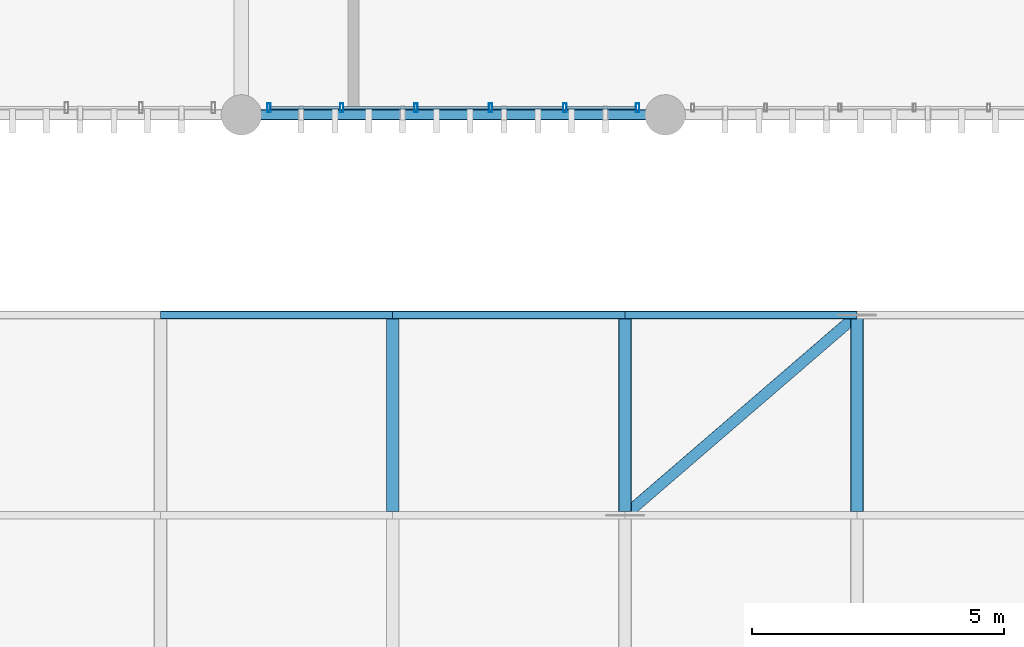
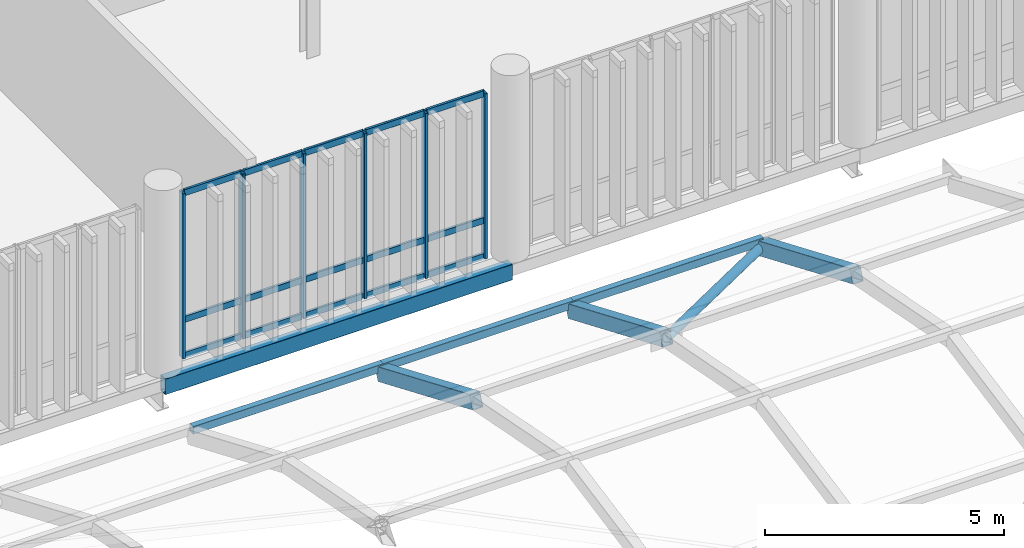
# One storey, part 15 of 94: 25 members, 4 beams, 1 element without a shape of its own.
"""IFC4 building model written with IfcOpenShell, lengths in metres."""

import ifcopenshell
import ifcopenshell.guid

model = None  # the IFC model being written
_history = None  # IfcOwnerHistory: only IFC2X3 demands one
_inside = {}  # id of a spatial element -> (the spatial element, [elements in it])
_under = {}  # id of a project, library or spatial element -> (it, [spatial elements below it])
_declared = {}  # id of a project -> (the project, [libraries it declares])
_typed = {}  # id of a type object -> (the type object, [elements of that type])
_made_of = {}  # id of a material, layer set ... -> (it, [elements and type objects made of it])


def new_model(schema):
    """Start an empty IFC model of exactly this schema.

    Asked for "IFC4X3", IfcOpenShell would pick the latest addendum, in which some entities
    have other attributes; the version numbers below select the first issue.
    IFC2X3 requires an IfcOwnerHistory on every rooted entity: one is made here for all.
    """
    global model, _history
    if schema == "IFC4X3":
        model = ifcopenshell.file(schema_version=(4, 3, 0, 0))
    else:
        model = ifcopenshell.file(schema=schema)
    _inside.clear()
    _under.clear()
    _declared.clear()
    _typed.clear()
    _made_of.clear()
    _history = None
    if model.schema == "IFC2X3":
        org = make("IfcOrganization", Name="unknown")
        user = make(
            "IfcPersonAndOrganization",
            ThePerson=make("IfcPerson", FamilyName="unknown"),
            TheOrganization=org,
        )
        app = make(
            "IfcApplication",
            ApplicationDeveloper=org,
            Version="unknown",
            ApplicationFullName="unknown",
            ApplicationIdentifier="unknown",
        )
        _history = make(
            "IfcOwnerHistory",
            OwningUser=user,
            OwningApplication=app,
            ChangeAction="ADDED",
            CreationDate=0,
        )
    return model


def make(cls, **values):
    """One entity of the class cls with the attributes given. An attribute that is None is left unset."""
    return model.create_entity(
        cls, **{name: value for name, value in values.items() if value is not None}
    )


def rooted(cls, **values):
    """An entity with a GlobalId (a new one), such as an element, a storey or a relation."""
    return make(cls, GlobalId=ifcopenshell.guid.new(), OwnerHistory=_history, **values)


def si_unit(unit_type, name, prefix=None):
    """IfcSIUnit, for example si_unit("LENGTHUNIT", "METRE", prefix="MILLI")."""
    return make("IfcSIUnit", UnitType=unit_type, Prefix=prefix, Name=name)


def assignment(units):
    """IfcUnitAssignment: the units of a project."""
    return None if units is None else make("IfcUnitAssignment", Units=units)


def point(xyz):
    """IfcCartesianPoint."""
    return None if xyz is None else make("IfcCartesianPoint", Coordinates=xyz)


def direction(xyz):
    """IfcDirection."""
    return None if xyz is None else make("IfcDirection", DirectionRatios=xyz)


def frame(location, z_axis=None, x_axis=None):
    """IfcAxis2Placement3D, a coordinate frame: its origin and axes. An axis left out is left unset."""
    return make(
        "IfcAxis2Placement3D",
        Location=point(location),
        Axis=direction(z_axis),
        RefDirection=direction(x_axis),
    )


def frame_2d(location, x_axis=None):
    """IfcAxis2Placement2D, a coordinate frame in the plane: its origin and x axis."""
    return make(
        "IfcAxis2Placement2D", Location=point(location), RefDirection=direction(x_axis)
    )


def origin_with_axes():
    """The frame at (0, 0, 0) with the z axis (0, 0, 1) and the x axis (1, 0, 0) written out."""
    return frame((0.0, 0.0, 0.0), z_axis=(0.0, 0.0, 1.0), x_axis=(1.0, 0.0, 0.0))


def origin_2d_with_axis():
    """The frame at (0, 0) in the plane with the x axis (1, 0) written out."""
    return frame_2d((0.0, 0.0), x_axis=(1.0, 0.0))


def place(relative_to, where):
    """IfcLocalPlacement: puts the frame where relative to a parent placement (None: the world)."""
    return make(
        "IfcLocalPlacement", PlacementRelTo=relative_to, RelativePlacement=where
    )


def context(
    kind, dimensions, precision=None, world=None, true_north=None, identifier=None
):
    """IfcGeometricRepresentationContext, for example the 3D "Model" context."""
    return make(
        "IfcGeometricRepresentationContext",
        ContextIdentifier=identifier,
        ContextType=kind,
        CoordinateSpaceDimension=dimensions,
        Precision=precision,
        WorldCoordinateSystem=world,
        TrueNorth=true_north,
    )


def subcontext(parent, identifier, kind, view, scale=None):
    """IfcGeometricRepresentationSubContext, for example "Body" below "Model"."""
    return make(
        "IfcGeometricRepresentationSubContext",
        ContextIdentifier=identifier,
        ContextType=kind,
        ParentContext=parent,
        TargetScale=scale,
        TargetView=view,
    )


def project(units=None, contexts=None):
    """IfcProject with its units and contexts."""
    return rooted(
        "IfcProject",
        Name="project",
        RepresentationContexts=contexts,
        UnitsInContext=assignment(units),
    )


def spatial(cls, under=None, at=None, **own):
    """A site, building, storey or space (cls), placed at a placement, below another one or the project."""
    s = rooted(cls, ObjectPlacement=at, **own)
    if under is not None:
        _under.setdefault(under.id(), (under, []))[1].append(s)
    return s


def profile(cls, at=None, kind="AREA", **sizes):
    """A parametric profile (cls). Its sizes go by their IFC names, for example OverallWidth=200.0."""
    return make(cls, ProfileType=kind, Position=at, **sizes)


def hollow_rectangle(**sizes):
    """IfcRectangleHollowProfileDef."""
    return profile("IfcRectangleHollowProfileDef", **sizes)


def hollow_circle(**sizes):
    """IfcCircleHollowProfileDef."""
    return profile("IfcCircleHollowProfileDef", **sizes)


def extrude(swept, where, along, depth):
    """IfcExtrudedAreaSolid: the profile swept, set in the frame where, extruded along a direction by depth."""
    return make(
        "IfcExtrudedAreaSolid",
        SweptArea=swept,
        Position=where,
        ExtrudedDirection=direction(along),
        Depth=depth,
    )


def shape(context_of_items, identifier, shape_type, items):
    """IfcShapeRepresentation: the items that make up one representation, for example the "Body"."""
    return make(
        "IfcShapeRepresentation",
        ContextOfItems=context_of_items,
        RepresentationIdentifier=identifier,
        RepresentationType=shape_type,
        Items=items,
    )


def material(Name=None, Category=None):
    """IfcMaterial."""
    return make("IfcMaterial", Name=Name, Category=Category)


def material_profile(
    of_material, cross_section, Name=None, Category=None, Priority=None
):
    """IfcMaterialProfile: a cross section and its material."""
    return make(
        "IfcMaterialProfile",
        Name=Name,
        Material=of_material,
        Profile=cross_section,
        Priority=Priority,
        Category=Category,
    )


def profile_set(profiles, Name=None, composite=None):
    """IfcMaterialProfileSet."""
    return make(
        "IfcMaterialProfileSet",
        Name=Name,
        MaterialProfiles=profiles,
        CompositeProfile=composite,
    )


def made_of(thing, what):
    """Note that an element or type object is made of a material, layer set ...; save() writes the relation."""
    if what is not None:
        _made_of.setdefault(what.id(), (what, []))[1].append(thing)
    return thing


def type_object(cls, material=None, **own):
    """A type object (cls), such as IfcWallType, which elements share."""
    return made_of(rooted(cls, **own), material)


def element(
    cls,
    number,
    at=None,
    inside=None,
    cuts=None,
    type_object=None,
    material=None,
    context=None,
    identifier="Body",
    shape_type=None,
    held_by="IfcProductDefinitionShape",
    body=None,
    shapes=None,
    **own,
):
    """One element of the class cls, such as IfcWall. Its Tag is "e" and its number.

    at: its placement. inside: the storey or other place that contains it. cuts: it is an
    opening in that element (IfcRelVoidsElement). A single representation is given by context,
    identifier, shape_type and body (its items); several are given by shapes. held_by: the class
    of the entity that holds the representations. save() writes the other relations.
    """
    e = rooted(cls, Tag="e%d" % number, ObjectPlacement=at, **own)
    if body is not None:
        shapes = [shape(context, identifier, shape_type, body)]
    if shapes is not None:
        e.Representation = make(held_by, Representations=shapes)
    if inside is not None:
        _inside.setdefault(inside.id(), (inside, []))[1].append(e)
    if cuts is not None:
        rooted(
            "IfcRelVoidsElement", RelatingBuildingElement=cuts, RelatedOpeningElement=e
        )
    if type_object is not None:
        _typed.setdefault(type_object.id(), (type_object, []))[1].append(e)
    return made_of(e, material)


def aggregate(whole, parts):
    """IfcRelAggregates: a whole, such as a stair, and the parts it consists of."""
    return rooted("IfcRelAggregates", RelatingObject=whole, RelatedObjects=parts)


def save(model, path):
    """Write the relations noted so far, then the file.

    IfcRelAggregates (storeys below a building ...), IfcRelContainedInSpatialStructure (elements
    in a storey), IfcRelDefinesByType, IfcRelAssociatesMaterial and IfcRelDeclares: one each for
    every whole, place, type object, material and project.
    """
    for whole, parts in _under.values():
        aggregate(whole, parts)
    for where, things in _inside.values():
        rooted(
            "IfcRelContainedInSpatialStructure",
            RelatedElements=things,
            RelatingStructure=where,
        )
    for kind, things in _typed.values():
        rooted("IfcRelDefinesByType", RelatedObjects=things, RelatingType=kind)
    for what, things in _made_of.values():
        rooted("IfcRelAssociatesMaterial", RelatedObjects=things, RelatingMaterial=what)
    for by, libraries in _declared.values():
        rooted("IfcRelDeclares", RelatingContext=by, RelatedDefinitions=libraries)
    model.write(path)


model = new_model("IFC4")

# Units and contexts
model_context = context("Model", 3, precision=1e-05, world=origin_with_axes(), true_north=direction((0.0, 1.0)))
body_context = subcontext(model_context, "Body", "Model", "MODEL_VIEW")
ifc_project = project(units=[si_unit("LENGTHUNIT", "METRE"), si_unit("AREAUNIT", "SQUARE_METRE"), si_unit("VOLUMEUNIT", "CUBIC_METRE"), si_unit("PLANEANGLEUNIT", "RADIAN"), si_unit("MASSUNIT", "GRAM", prefix="KILO"), si_unit("THERMODYNAMICTEMPERATUREUNIT", "KELVIN")], contexts=[model_context])

# Site, building, storey
site_placement = place(None, origin_with_axes())
site = spatial("IfcSite", under=ifc_project, at=site_placement, CompositionType="ELEMENT")
building_placement = place(site_placement, origin_with_axes())
building = spatial("IfcBuilding", under=site, at=building_placement, Name="Montbau Bow Law Courts", CompositionType="ELEMENT")
storey_placement = place(building_placement, frame((0.0, 0.0, 15.6), z_axis=(0.0, 0.0, 1.0), x_axis=(1.0, 0.0, 0.0)))
storey = spatial("IfcBuildingStorey", under=building, at=storey_placement, Name="L03", CompositionType="ELEMENT", Elevation=15.6)

# Beams
ifc_material_1 = material(Name="Steel CSA G40.21 Grade 350WT (350 MPa)", Category="steel")
ifc_material_profile_1 = material_profile(ifc_material_1, hollow_rectangle(XDim=0.254, YDim=0.356, WallThickness=0.0127, InnerFilletRadius=0.0254, OuterFilletRadius=0.0127, at=origin_2d_with_axis()), Name="HSS356X254X13", Category="Main", Priority=0)
ifc_profile_set_1 = profile_set([ifc_material_profile_1], Name="Steel CSA G40.21 Grade 350WT (350 MPa)")
beam_type_1 = type_object("IfcBeamType", Name="B-ARC-01", PredefinedType="USERDEFINED", material=ifc_profile_set_1)
for number, where, z_axis, x_axis, name in (
    (1, (25.2, 22.667, 18.511), (0.0, 0.921210714, -0.389064031), (-1.0, 0.0, 0.0), "Barrel vault roof truss arch rib V1-029"),
    (2, (29.8, 22.667, 18.511), (0.0, 0.921210714, -0.389064031), (-1.0, 0.0, 0.0), "Barrel vault roof truss arch rib V1-035"),
    (3, (34.4, 22.667, 18.511), (0.0, 0.921210714, -0.389064031), (-1.0, 0.0, 0.0), "Barrel vault roof truss arch rib V1-041"),
):
    element("IfcBeam", number, at=place(None, frame(where, z_axis=z_axis, x_axis=x_axis)), inside=storey, type_object=beam_type_1, Name=name, ObjectType="ARCH_RIB", PredefinedType="USERDEFINED", context=body_context, shape_type="SweptSolid", body=[
        extrude(hollow_rectangle(XDim=0.254, YDim=0.356, WallThickness=0.0127, InnerFilletRadius=0.0254, OuterFilletRadius=0.0127, at=origin_2d_with_axis()), origin_with_axes(), (0.0, 0.0, 1.0), 4.305204),
    ])
ifc_material_profile_2 = material_profile(ifc_material_1, hollow_rectangle(XDim=0.203, YDim=0.406, WallThickness=0.0127, InnerFilletRadius=0.0254, OuterFilletRadius=0.0127, at=origin_2d_with_axis()), Name="HSS406X203X13", Category="Main", Priority=0)
ifc_profile_set_2 = profile_set([ifc_material_profile_2], Name="Steel CSA G40.21 Grade 350WT (350 MPa)")
beam_type_2 = type_object("IfcBeamType", Name="B-SPN-01", PredefinedType="SPANDREL", material=ifc_profile_set_2)
beam_placement = place(None, frame((22.2, 30.6, 15.157), z_axis=(1.0, 0.0, 0.0), x_axis=(0.0, 1.0, 0.0)))
element("IfcBeam", 4, at=beam_placement, inside=storey, type_object=beam_type_2, Name="SPN-L03-S0583:bm2_0586", PredefinedType="SPANDREL", context=body_context, shape_type="SweptSolid", body=[
    extrude(hollow_rectangle(XDim=0.203, YDim=0.406, WallThickness=0.0127, InnerFilletRadius=0.0254, OuterFilletRadius=0.0127, at=origin_2d_with_axis()), origin_with_axes(), (0.0, 0.0, 1.0), 8.4),
])

# Member
ifc_material_profile_3 = material_profile(ifc_material_1, hollow_circle(Radius=0.1095, WallThickness=0.0111, at=origin_2d_with_axis()), Name="HSS219X11", Category="Main", Priority=0)
ifc_profile_set_3 = profile_set([ifc_material_profile_3], Name="Steel CSA G40.21 Grade 350WT (350 MPa)")
member_type_1 = type_object("IfcMemberType", Name="M-BRC-04", PredefinedType="BRACE", material=ifc_profile_set_3)
member_1_placement = place(None, frame((29.8, 22.667, 18.511), z_axis=(0.730114757, 0.629485897, -0.265857004), x_axis=(-0.652985219, 0.757370652, 0.0)))
element("IfcMember", 5, at=member_1_placement, inside=storey, type_object=member_type_1, Name="Diagonal brace VBR-V1-084", PredefinedType="BRACE", context=body_context, shape_type="SweptSolid", body=[
    extrude(hollow_circle(Radius=0.1095, WallThickness=0.0111, at=origin_2d_with_axis()), origin_with_axes(), (0.0, 0.0, 1.0), 6.300379),
])

# Curtain wall, members
ifc_material_2 = material(Name="Thermally Broken Extruded Aluminium AA 6063-T6", Category="aluminium")
curtain_wall_type = type_object("IfcCurtainWallType", Name="CW-TRC-01", PredefinedType="NOTDEFINED", material=ifc_material_2)
curtain_wall_placement = place(None, frame((22.715, 30.74, 15.6), z_axis=(0.0, 0.0, 1.0), x_axis=(1.0, 0.0, 0.0)))
curtain_wall = element("IfcCurtainWall", 6, at=curtain_wall_placement, inside=storey, type_object=curtain_wall_type, Name="CW-L03-052:cw_0052", PredefinedType="NOTDEFINED")
ifc_material_profile_4 = material_profile(ifc_material_2, hollow_rectangle(XDim=0.065, YDim=0.18, WallThickness=0.005, InnerFilletRadius=0.01, OuterFilletRadius=0.005, at=origin_2d_with_axis()), Name="CWM-180X65", Category="Main", Priority=0)
ifc_profile_set_4 = profile_set([ifc_material_profile_4], Name="Thermally Broken Extruded Aluminium AA 6063-T6")
member_type_2 = type_object("IfcMemberType", Name="M-MUL-02", PredefinedType="MULLION", material=ifc_profile_set_4)
member_2_placement = place(None, frame((22.748, 30.74, 15.6), z_axis=(0.0, 0.0, 1.0), x_axis=(1.0, 0.0, 0.0)))
member_2 = element("IfcMember", 7, at=member_2_placement, type_object=member_type_2, Name="CW-L03-052-M01:cw_0052_M01", PredefinedType="MULLION", context=body_context, shape_type="SweptSolid", body=[
    extrude(hollow_rectangle(XDim=0.065, YDim=0.18, WallThickness=0.005, InnerFilletRadius=0.01, OuterFilletRadius=0.005, at=origin_2d_with_axis()), origin_with_axes(), (0.0, 0.0, 1.0), 4.22),
])
member_3_placement = place(None, frame((24.189, 30.74, 15.6), z_axis=(0.0, 0.0, 1.0), x_axis=(1.0, 0.0, 0.0)))
member_3 = element("IfcMember", 8, at=member_3_placement, type_object=member_type_2, Name="CW-L03-052-M02:cw_0052_M02", PredefinedType="MULLION", context=body_context, shape_type="SweptSolid", body=[
    extrude(hollow_rectangle(XDim=0.065, YDim=0.18, WallThickness=0.005, InnerFilletRadius=0.01, OuterFilletRadius=0.005, at=origin_2d_with_axis()), origin_with_axes(), (0.0, 0.0, 1.0), 4.22),
])
member_4_placement = place(None, frame((25.663, 30.74, 15.6), z_axis=(0.0, 0.0, 1.0), x_axis=(1.0, 0.0, 0.0)))
member_4 = element("IfcMember", 9, at=member_4_placement, type_object=member_type_2, Name="CW-L03-052-M03:cw_0052_M03", PredefinedType="MULLION", context=body_context, shape_type="SweptSolid", body=[
    extrude(hollow_rectangle(XDim=0.065, YDim=0.18, WallThickness=0.005, InnerFilletRadius=0.01, OuterFilletRadius=0.005, at=origin_2d_with_axis()), origin_with_axes(), (0.0, 0.0, 1.0), 4.22),
])
member_5_placement = place(None, frame((27.137, 30.74, 15.6), z_axis=(0.0, 0.0, 1.0), x_axis=(1.0, 0.0, 0.0)))
member_5 = element("IfcMember", 10, at=member_5_placement, type_object=member_type_2, Name="CW-L03-052-M04:cw_0052_M04", PredefinedType="MULLION", context=body_context, shape_type="SweptSolid", body=[
    extrude(hollow_rectangle(XDim=0.065, YDim=0.18, WallThickness=0.005, InnerFilletRadius=0.01, OuterFilletRadius=0.005, at=origin_2d_with_axis()), origin_with_axes(), (0.0, 0.0, 1.0), 4.22),
])
member_6_placement = place(None, frame((28.611, 30.74, 15.6), z_axis=(0.0, 0.0, 1.0), x_axis=(1.0, 0.0, 0.0)))
member_6 = element("IfcMember", 11, at=member_6_placement, type_object=member_type_2, Name="CW-L03-052-M05:cw_0052_M05", PredefinedType="MULLION", context=body_context, shape_type="SweptSolid", body=[
    extrude(hollow_rectangle(XDim=0.065, YDim=0.18, WallThickness=0.005, InnerFilletRadius=0.01, OuterFilletRadius=0.005, at=origin_2d_with_axis()), origin_with_axes(), (0.0, 0.0, 1.0), 4.22),
])
member_7_placement = place(None, frame((30.053, 30.74, 15.6), z_axis=(0.0, 0.0, 1.0), x_axis=(1.0, 0.0, 0.0)))
member_7 = element("IfcMember", 12, at=member_7_placement, type_object=member_type_2, Name="CW-L03-052-M06:cw_0052_M06", PredefinedType="MULLION", context=body_context, shape_type="SweptSolid", body=[
    extrude(hollow_rectangle(XDim=0.065, YDim=0.18, WallThickness=0.005, InnerFilletRadius=0.01, OuterFilletRadius=0.005, at=origin_2d_with_axis()), origin_with_axes(), (0.0, 0.0, 1.0), 4.22),
])

# Members
ifc_material_profile_5 = material_profile(ifc_material_1, hollow_rectangle(XDim=0.152, YDim=0.203, WallThickness=0.0095, InnerFilletRadius=0.019, OuterFilletRadius=0.0095, at=origin_2d_with_axis()), Name="HSS203X152X9.5", Category="Main", Priority=0)
ifc_profile_set_5 = profile_set([ifc_material_profile_5], Name="Steel CSA G40.21 Grade 350WT (350 MPa)")
member_type_3 = type_object("IfcMemberType", Name="M-PUR-01", PredefinedType="PURLIN", material=ifc_profile_set_5)
for number, where, z_axis, x_axis, name in (
    (13, (20.6, 26.633, 16.994), (1.0, 0.0, 0.0), (0.0, 1.0, 0.0), "Barrel vault roof truss purlin V1-027"),
    (14, (25.2, 26.633, 16.994), (1.0, 0.0, 0.0), (0.0, 1.0, 0.0), "Barrel vault roof truss purlin V1-034"),
    (15, (29.8, 26.633, 16.994), (1.0, 0.0, 0.0), (0.0, 1.0, 0.0), "Barrel vault roof truss purlin V1-041"),
):
    element("IfcMember", number, at=place(None, frame(where, z_axis=z_axis, x_axis=x_axis)), inside=storey, type_object=member_type_3, Name=name, PredefinedType="PURLIN", context=body_context, shape_type="SweptSolid", body=[
        extrude(hollow_rectangle(XDim=0.152, YDim=0.203, WallThickness=0.0095, InnerFilletRadius=0.019, OuterFilletRadius=0.0095, at=origin_2d_with_axis()), origin_with_axes(), (0.0, 0.0, 1.0), 4.6),
    ])

# Member
ifc_material_profile_6 = material_profile(ifc_material_2, hollow_rectangle(XDim=0.06, YDim=0.16, WallThickness=0.004, InnerFilletRadius=0.008, OuterFilletRadius=0.004, at=origin_2d_with_axis()), Name="CWT-160X60", Category="Main", Priority=0)
ifc_profile_set_6 = profile_set([ifc_material_profile_6], Name="Thermally Broken Extruded Aluminium AA 6063-T6")
member_type_4 = type_object("IfcMemberType", Name="M-TRN-01", PredefinedType="USERDEFINED", material=ifc_profile_set_6)
member_8_placement = place(None, frame((22.783, 30.74, 15.63), z_axis=(1.0, 0.0, 0.0), x_axis=(0.0, 1.0, 0.0)))
member_8 = element("IfcMember", 16, at=member_8_placement, type_object=member_type_4, Name="CW-L03-052-T01-1:cw_0052_T01_1", ObjectType="TRANSOM", PredefinedType="USERDEFINED", context=body_context, shape_type="SweptSolid", body=[
    extrude(hollow_rectangle(XDim=0.06, YDim=0.16, WallThickness=0.004, InnerFilletRadius=0.008, OuterFilletRadius=0.004, at=origin_2d_with_axis()), origin_with_axes(), (0.0, 0.0, 1.0), 1.372),
])

member_9_placement = place(None, frame((22.783, 30.74, 16.55), z_axis=(1.0, 0.0, 0.0), x_axis=(0.0, 1.0, 0.0)))
member_9 = element("IfcMember", 17, at=member_9_placement, type_object=member_type_4, Name="CW-L03-052-T01-2:cw_0052_T01_2", ObjectType="TRANSOM", PredefinedType="USERDEFINED", context=body_context, shape_type="SweptSolid", body=[
    extrude(hollow_rectangle(XDim=0.06, YDim=0.16, WallThickness=0.004, InnerFilletRadius=0.008, OuterFilletRadius=0.004, at=origin_2d_with_axis()), origin_with_axes(), (0.0, 0.0, 1.0), 1.372),
])

member_10_placement = place(None, frame((22.783, 30.74, 19.79), z_axis=(1.0, 0.0, 0.0), x_axis=(0.0, 1.0, 0.0)))
member_10 = element("IfcMember", 18, at=member_10_placement, type_object=member_type_4, Name="CW-L03-052-T01-3:cw_0052_T01_3", ObjectType="TRANSOM", PredefinedType="USERDEFINED", context=body_context, shape_type="SweptSolid", body=[
    extrude(hollow_rectangle(XDim=0.06, YDim=0.16, WallThickness=0.004, InnerFilletRadius=0.008, OuterFilletRadius=0.004, at=origin_2d_with_axis()), origin_with_axes(), (0.0, 0.0, 1.0), 1.372),
])

member_11_placement = place(None, frame((24.223, 30.74, 15.63), z_axis=(1.0, 0.0, 0.0), x_axis=(0.0, 1.0, 0.0)))
member_11 = element("IfcMember", 19, at=member_11_placement, type_object=member_type_4, Name="CW-L03-052-T02-1:cw_0052_T02_1", ObjectType="TRANSOM", PredefinedType="USERDEFINED", context=body_context, shape_type="SweptSolid", body=[
    extrude(hollow_rectangle(XDim=0.06, YDim=0.16, WallThickness=0.004, InnerFilletRadius=0.008, OuterFilletRadius=0.004, at=origin_2d_with_axis()), origin_with_axes(), (0.0, 0.0, 1.0), 1.405),
])

member_12_placement = place(None, frame((24.223, 30.74, 16.55), z_axis=(1.0, 0.0, 0.0), x_axis=(0.0, 1.0, 0.0)))
member_12 = element("IfcMember", 20, at=member_12_placement, type_object=member_type_4, Name="CW-L03-052-T02-2:cw_0052_T02_2", ObjectType="TRANSOM", PredefinedType="USERDEFINED", context=body_context, shape_type="SweptSolid", body=[
    extrude(hollow_rectangle(XDim=0.06, YDim=0.16, WallThickness=0.004, InnerFilletRadius=0.008, OuterFilletRadius=0.004, at=origin_2d_with_axis()), origin_with_axes(), (0.0, 0.0, 1.0), 1.405),
])

member_13_placement = place(None, frame((24.223, 30.74, 19.79), z_axis=(1.0, 0.0, 0.0), x_axis=(0.0, 1.0, 0.0)))
member_13 = element("IfcMember", 21, at=member_13_placement, type_object=member_type_4, Name="CW-L03-052-T02-3:cw_0052_T02_3", ObjectType="TRANSOM", PredefinedType="USERDEFINED", context=body_context, shape_type="SweptSolid", body=[
    extrude(hollow_rectangle(XDim=0.06, YDim=0.16, WallThickness=0.004, InnerFilletRadius=0.008, OuterFilletRadius=0.004, at=origin_2d_with_axis()), origin_with_axes(), (0.0, 0.0, 1.0), 1.405),
])

member_14_placement = place(None, frame((25.697, 30.74, 15.63), z_axis=(1.0, 0.0, 0.0), x_axis=(0.0, 1.0, 0.0)))
member_14 = element("IfcMember", 22, at=member_14_placement, type_object=member_type_4, Name="CW-L03-052-T03-1:cw_0052_T03_1", ObjectType="TRANSOM", PredefinedType="USERDEFINED", context=body_context, shape_type="SweptSolid", body=[
    extrude(hollow_rectangle(XDim=0.06, YDim=0.16, WallThickness=0.004, InnerFilletRadius=0.008, OuterFilletRadius=0.004, at=origin_2d_with_axis()), origin_with_axes(), (0.0, 0.0, 1.0), 1.406),
])

member_15_placement = place(None, frame((25.697, 30.74, 16.55), z_axis=(1.0, 0.0, 0.0), x_axis=(0.0, 1.0, 0.0)))
member_15 = element("IfcMember", 23, at=member_15_placement, type_object=member_type_4, Name="CW-L03-052-T03-2:cw_0052_T03_2", ObjectType="TRANSOM", PredefinedType="USERDEFINED", context=body_context, shape_type="SweptSolid", body=[
    extrude(hollow_rectangle(XDim=0.06, YDim=0.16, WallThickness=0.004, InnerFilletRadius=0.008, OuterFilletRadius=0.004, at=origin_2d_with_axis()), origin_with_axes(), (0.0, 0.0, 1.0), 1.406),
])

member_16_placement = place(None, frame((25.697, 30.74, 19.79), z_axis=(1.0, 0.0, 0.0), x_axis=(0.0, 1.0, 0.0)))
member_16 = element("IfcMember", 24, at=member_16_placement, type_object=member_type_4, Name="CW-L03-052-T03-3:cw_0052_T03_3", ObjectType="TRANSOM", PredefinedType="USERDEFINED", context=body_context, shape_type="SweptSolid", body=[
    extrude(hollow_rectangle(XDim=0.06, YDim=0.16, WallThickness=0.004, InnerFilletRadius=0.008, OuterFilletRadius=0.004, at=origin_2d_with_axis()), origin_with_axes(), (0.0, 0.0, 1.0), 1.406),
])

member_17_placement = place(None, frame((27.171, 30.74, 15.63), z_axis=(1.0, 0.0, 0.0), x_axis=(0.0, 1.0, 0.0)))
member_17 = element("IfcMember", 25, at=member_17_placement, type_object=member_type_4, Name="CW-L03-052-T04-1:cw_0052_T04_1", ObjectType="TRANSOM", PredefinedType="USERDEFINED", context=body_context, shape_type="SweptSolid", body=[
    extrude(hollow_rectangle(XDim=0.06, YDim=0.16, WallThickness=0.004, InnerFilletRadius=0.008, OuterFilletRadius=0.004, at=origin_2d_with_axis()), origin_with_axes(), (0.0, 0.0, 1.0), 1.406),
])

member_18_placement = place(None, frame((27.171, 30.74, 16.55), z_axis=(1.0, 0.0, 0.0), x_axis=(0.0, 1.0, 0.0)))
member_18 = element("IfcMember", 26, at=member_18_placement, type_object=member_type_4, Name="CW-L03-052-T04-2:cw_0052_T04_2", ObjectType="TRANSOM", PredefinedType="USERDEFINED", context=body_context, shape_type="SweptSolid", body=[
    extrude(hollow_rectangle(XDim=0.06, YDim=0.16, WallThickness=0.004, InnerFilletRadius=0.008, OuterFilletRadius=0.004, at=origin_2d_with_axis()), origin_with_axes(), (0.0, 0.0, 1.0), 1.406),
])

member_19_placement = place(None, frame((27.171, 30.74, 19.79), z_axis=(1.0, 0.0, 0.0), x_axis=(0.0, 1.0, 0.0)))
member_19 = element("IfcMember", 27, at=member_19_placement, type_object=member_type_4, Name="CW-L03-052-T04-3:cw_0052_T04_3", ObjectType="TRANSOM", PredefinedType="USERDEFINED", context=body_context, shape_type="SweptSolid", body=[
    extrude(hollow_rectangle(XDim=0.06, YDim=0.16, WallThickness=0.004, InnerFilletRadius=0.008, OuterFilletRadius=0.004, at=origin_2d_with_axis()), origin_with_axes(), (0.0, 0.0, 1.0), 1.406),
])

member_20_placement = place(None, frame((28.645, 30.74, 15.63), z_axis=(1.0, 0.0, 0.0), x_axis=(0.0, 1.0, 0.0)))
member_20 = element("IfcMember", 28, at=member_20_placement, type_object=member_type_4, Name="CW-L03-052-T05-1:cw_0052_T05_1", ObjectType="TRANSOM", PredefinedType="USERDEFINED", context=body_context, shape_type="SweptSolid", body=[
    extrude(hollow_rectangle(XDim=0.06, YDim=0.16, WallThickness=0.004, InnerFilletRadius=0.008, OuterFilletRadius=0.004, at=origin_2d_with_axis()), origin_with_axes(), (0.0, 0.0, 1.0), 1.374),
])

member_21_placement = place(None, frame((28.645, 30.74, 16.55), z_axis=(1.0, 0.0, 0.0), x_axis=(0.0, 1.0, 0.0)))
member_21 = element("IfcMember", 29, at=member_21_placement, type_object=member_type_4, Name="CW-L03-052-T05-2:cw_0052_T05_2", ObjectType="TRANSOM", PredefinedType="USERDEFINED", context=body_context, shape_type="SweptSolid", body=[
    extrude(hollow_rectangle(XDim=0.06, YDim=0.16, WallThickness=0.004, InnerFilletRadius=0.008, OuterFilletRadius=0.004, at=origin_2d_with_axis()), origin_with_axes(), (0.0, 0.0, 1.0), 1.374),
])

member_22_placement = place(None, frame((28.645, 30.74, 19.79), z_axis=(1.0, 0.0, 0.0), x_axis=(0.0, 1.0, 0.0)))
member_22 = element("IfcMember", 30, at=member_22_placement, type_object=member_type_4, Name="CW-L03-052-T05-3:cw_0052_T05_3", ObjectType="TRANSOM", PredefinedType="USERDEFINED", context=body_context, shape_type="SweptSolid", body=[
    extrude(hollow_rectangle(XDim=0.06, YDim=0.16, WallThickness=0.004, InnerFilletRadius=0.008, OuterFilletRadius=0.004, at=origin_2d_with_axis()), origin_with_axes(), (0.0, 0.0, 1.0), 1.374),
])

aggregate(curtain_wall, [member_2, member_3, member_4, member_5, member_6, member_7, member_8, member_9, member_10, member_11, member_12, member_13, member_14, member_15, member_16, member_17, member_18, member_19, member_20, member_21, member_22])

save(model, "model.ifc")
